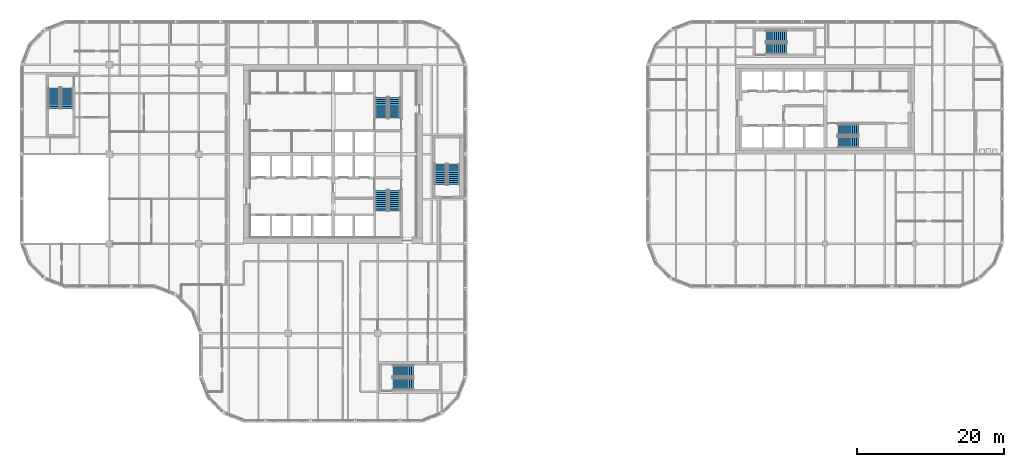
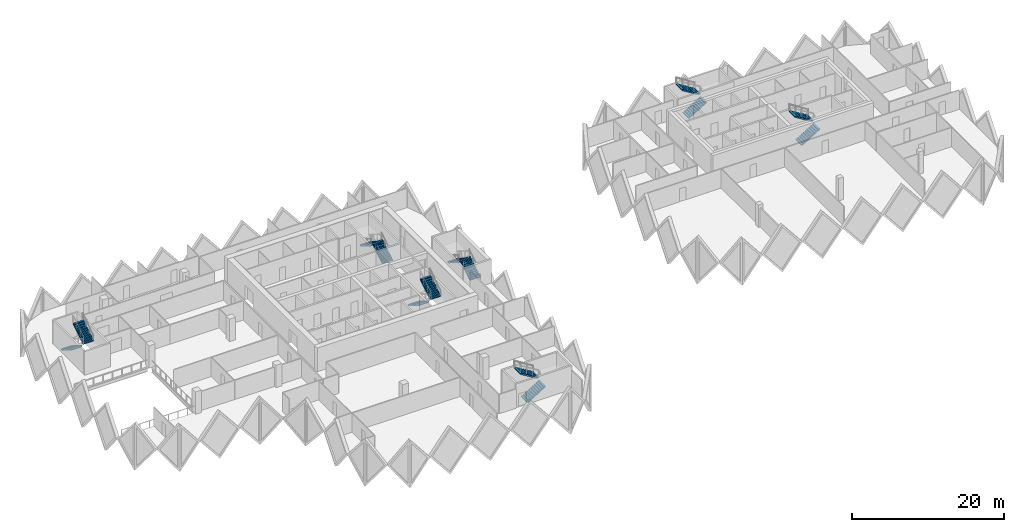
# One storey, part 16 of 19: 14 stair flights, 7 elements without a shape of their own.
"""IFC4 building model written with IfcOpenShell, lengths in metres."""

from ifc_helpers import new_model, si_unit, direction, frame, origin, place, context, subcontext, project, spatial, polyline, outline, extrude, material, type_object, element, aggregate, save


model = new_model("IFC4")

# Units and contexts
model_context = context("Model", 3, precision=1e-05, world=origin(), true_north=direction((0.0, 1.0)))
body_context = subcontext(model_context, "Body", "Model", "MODEL_VIEW")
ifc_project = project(units=[si_unit("LENGTHUNIT", "METRE"), si_unit("AREAUNIT", "SQUARE_METRE"), si_unit("VOLUMEUNIT", "CUBIC_METRE"), si_unit("PLANEANGLEUNIT", "RADIAN"), si_unit("MASSUNIT", "GRAM", prefix="KILO")], contexts=[model_context])

# Site, building, storey
site_placement = place(None, origin())
site = spatial("IfcSite", under=ifc_project, at=site_placement, CompositionType="ELEMENT")
building_placement = place(site_placement, origin())
building = spatial("IfcBuilding", under=site, at=building_placement, Name="Tessera Gate Towers", CompositionType="ELEMENT")
storey_placement = place(building_placement, frame((0.0, 0.0, 83.800048828125)))
storey = spatial("IfcBuildingStorey", under=building, at=storey_placement, Name="L20", CompositionType="ELEMENT", Elevation=83.800048828125)

# Stair, stair flights
ifc_material_1 = material(Name="Concrete C40/50", Category="concrete")
stair_type_1 = type_object("IfcStairType", Name="EXIT STAIR ST1 1600", PredefinedType="HALF_TURN_STAIR", material=ifc_material_1)
stair_1_placement = place(storey_placement, origin())
stair_1 = element("IfcStair", 1, at=stair_1_placement, inside=storey, type_object=stair_type_1, Name="L20 Protected Exit Stair ST1", PredefinedType="HALF_TURN_STAIR")
ifc_material_2 = material(Name="Concrete C40/50", Category="concrete")
stair_flight_type_1 = type_object("IfcStairFlightType", Name="EXIT STAIR FLIGHT ST1 1600", PredefinedType="STRAIGHT", material=ifc_material_2)
stair_flight_1_placement = place(storey_placement, frame((49.27490234375, 31.675048828125, 0.0), z_axis=(0.0, 0.0, 1.0), x_axis=(0.0, -1.0, 0.0)))
stair_flight_1 = element("IfcStairFlight", 2, at=stair_flight_1_placement, type_object=stair_flight_type_1, Name="ST1 flight 1", NumberOfRisers=11, NumberOfTreads=10, PredefinedType="STRAIGHT", RiserHeight=0.172727273, TreadLength=0.28, context=body_context, shape_type="SweptSolid", body=[
    extrude(outline(polyline([(0.0, 0.0), (0.0, 0.172607421875), (0.280029296875, 0.172607421875), (0.280029296875, 0.345458984375), (0.56005859375, 0.345458984375), (0.56005859375, 0.51806640625), (0.840087890625, 0.51806640625), (0.840087890625, 0.69091796875), (1.1201171875, 0.69091796875), (1.1201171875, 0.863525390625), (1.39990234375, 0.863525390625), (1.39990234375, 1.036376953125), (1.679931640625, 1.036376953125), (1.679931640625, 1.208984375), (1.9599609375, 1.208984375), (1.9599609375, 1.3818359375), (2.239990234375, 1.3818359375), (2.239990234375, 1.554443359375), (2.52001953125, 1.554443359375), (2.52001953125, 1.727294921875), (2.800048828125, 1.727294921875), (2.800048828125, 1.89990234375), (2.800048828125, 1.551025390625), (0.285400390625, 0.0), (0.0, 0.0)])), frame((0.0, 0.800048828125, 0.0), z_axis=(0.0, -1.0, 0.0), x_axis=(1.0, 0.0, 0.0)), (0.0, 0.0, 1.0), 1.60009765625),
])
stair_flight_2_placement = place(storey_placement, frame((51.074951171875, 28.875, 1.89990234375), z_axis=(0.0, 0.0, 1.0), x_axis=(0.0, 1.0, 0.0)))
stair_flight_2 = element("IfcStairFlight", 3, at=stair_flight_2_placement, type_object=stair_flight_type_1, Name="ST1 flight 2", NumberOfRisers=11, NumberOfTreads=10, PredefinedType="STRAIGHT", RiserHeight=0.172727273, TreadLength=0.28, context=body_context, shape_type="SweptSolid", body=[
    extrude(outline(polyline([(0.0, 0.0), (0.0, 0.172607421875), (0.280029296875, 0.172607421875), (0.280029296875, 0.345458984375), (0.56005859375, 0.345458984375), (0.56005859375, 0.51806640625), (0.840087890625, 0.51806640625), (0.840087890625, 0.69091796875), (1.1201171875, 0.69091796875), (1.1201171875, 0.863525390625), (1.39990234375, 0.863525390625), (1.39990234375, 1.036376953125), (1.679931640625, 1.036376953125), (1.679931640625, 1.208984375), (1.9599609375, 1.208984375), (1.9599609375, 1.3818359375), (2.239990234375, 1.3818359375), (2.239990234375, 1.554443359375), (2.52001953125, 1.554443359375), (2.52001953125, 1.727294921875), (2.800048828125, 1.727294921875), (2.800048828125, 1.89990234375), (2.800048828125, 1.551025390625), (0.285400390625, 0.0), (0.0, 0.0)])), frame((0.0, 0.800048828125, 0.0), z_axis=(0.0, -1.0, 0.0), x_axis=(1.0, 0.0, 0.0)), (0.0, 0.0, 1.0), 1.60009765625),
])
aggregate(stair_1, [stair_flight_1, stair_flight_2])

ifc_material_3 = material(Name="Concrete C40/50", Category="concrete")
stair_type_2 = type_object("IfcStairType", Name="EXIT STAIR ST2 1600", PredefinedType="HALF_TURN_STAIR", material=ifc_material_3)
stair_2_placement = place(storey_placement, origin())
stair_2 = element("IfcStair", 4, at=stair_2_placement, inside=storey, type_object=stair_type_2, Name="L20 Protected Exit Stair ST2", PredefinedType="HALF_TURN_STAIR")
ifc_material_4 = material(Name="Concrete C40/50", Category="concrete")
stair_flight_type_2 = type_object("IfcStairFlightType", Name="EXIT STAIR FLIGHT ST2 1600", PredefinedType="STRAIGHT", material=ifc_material_4)
stair_flight_3_placement = place(storey_placement, frame((51.074951171875, 41.52490234375, 0.0), z_axis=(0.0, 0.0, 1.0), x_axis=(0.0, 1.0, 0.0)))
stair_flight_3 = element("IfcStairFlight", 5, at=stair_flight_3_placement, type_object=stair_flight_type_2, Name="ST2 flight 1", NumberOfRisers=11, NumberOfTreads=10, PredefinedType="STRAIGHT", RiserHeight=0.172727273, TreadLength=0.28, context=body_context, shape_type="SweptSolid", body=[
    extrude(outline(polyline([(0.0, 0.0), (0.0, 0.172607421875), (0.280029296875, 0.172607421875), (0.280029296875, 0.345458984375), (0.56005859375, 0.345458984375), (0.56005859375, 0.51806640625), (0.840087890625, 0.51806640625), (0.840087890625, 0.69091796875), (1.1201171875, 0.69091796875), (1.1201171875, 0.863525390625), (1.39990234375, 0.863525390625), (1.39990234375, 1.036376953125), (1.679931640625, 1.036376953125), (1.679931640625, 1.208984375), (1.9599609375, 1.208984375), (1.9599609375, 1.3818359375), (2.239990234375, 1.3818359375), (2.239990234375, 1.554443359375), (2.52001953125, 1.554443359375), (2.52001953125, 1.727294921875), (2.800048828125, 1.727294921875), (2.800048828125, 1.89990234375), (2.800048828125, 1.551025390625), (0.285400390625, 0.0), (0.0, 0.0)])), frame((0.0, 0.800048828125, 0.0), z_axis=(0.0, -1.0, 0.0), x_axis=(1.0, 0.0, 0.0)), (0.0, 0.0, 1.0), 1.60009765625),
])
stair_flight_4_placement = place(storey_placement, frame((49.27490234375, 44.324951171875, 1.89990234375), z_axis=(0.0, 0.0, 1.0), x_axis=(0.0, -1.0, 0.0)))
stair_flight_4 = element("IfcStairFlight", 6, at=stair_flight_4_placement, type_object=stair_flight_type_2, Name="ST2 flight 2", NumberOfRisers=11, NumberOfTreads=10, PredefinedType="STRAIGHT", RiserHeight=0.172727273, TreadLength=0.28, context=body_context, shape_type="SweptSolid", body=[
    extrude(outline(polyline([(0.0, 0.0), (0.0, 0.172607421875), (0.280029296875, 0.172607421875), (0.280029296875, 0.345458984375), (0.56005859375, 0.345458984375), (0.56005859375, 0.51806640625), (0.840087890625, 0.51806640625), (0.840087890625, 0.69091796875), (1.1201171875, 0.69091796875), (1.1201171875, 0.863525390625), (1.39990234375, 0.863525390625), (1.39990234375, 1.036376953125), (1.679931640625, 1.036376953125), (1.679931640625, 1.208984375), (1.9599609375, 1.208984375), (1.9599609375, 1.3818359375), (2.239990234375, 1.3818359375), (2.239990234375, 1.554443359375), (2.52001953125, 1.554443359375), (2.52001953125, 1.727294921875), (2.800048828125, 1.727294921875), (2.800048828125, 1.89990234375), (2.800048828125, 1.551025390625), (0.285400390625, 0.0), (0.0, 0.0)])), frame((0.0, 0.800048828125, 0.0), z_axis=(0.0, -1.0, 0.0), x_axis=(1.0, 0.0, 0.0)), (0.0, 0.0, 1.0), 1.60009765625),
])
aggregate(stair_2, [stair_flight_3, stair_flight_4])

ifc_material_5 = material(Name="Concrete C40/50", Category="concrete")
stair_type_3 = type_object("IfcStairType", Name="EXIT STAIR ST3 1600", PredefinedType="HALF_TURN_STAIR", material=ifc_material_5)
stair_3_placement = place(storey_placement, origin())
stair_3 = element("IfcStair", 7, at=stair_3_placement, inside=storey, type_object=stair_type_3, Name="L20 West Exit Stair ST3", PredefinedType="HALF_TURN_STAIR")
ifc_material_6 = material(Name="Concrete C40/50", Category="concrete")
stair_flight_type_3 = type_object("IfcStairFlightType", Name="EXIT STAIR FLIGHT ST3 1600", PredefinedType="STRAIGHT", material=ifc_material_6)
stair_flight_5_placement = place(storey_placement, frame((4.64990234375, 45.64990234375, 0.0), z_axis=(0.0, 0.0, 1.0), x_axis=(0.0, -1.0, 0.0)))
stair_flight_5 = element("IfcStairFlight", 8, at=stair_flight_5_placement, type_object=stair_flight_type_3, Name="ST3 flight 1", NumberOfRisers=11, NumberOfTreads=10, PredefinedType="STRAIGHT", RiserHeight=0.172727273, TreadLength=0.28, context=body_context, shape_type="SweptSolid", body=[
    extrude(outline(polyline([(0.0, 0.0), (0.0, 0.172607421875), (0.280029296875, 0.172607421875), (0.280029296875, 0.345458984375), (0.56005859375, 0.345458984375), (0.56005859375, 0.51806640625), (0.840087890625, 0.51806640625), (0.840087890625, 0.69091796875), (1.1201171875, 0.69091796875), (1.1201171875, 0.863525390625), (1.39990234375, 0.863525390625), (1.39990234375, 1.036376953125), (1.679931640625, 1.036376953125), (1.679931640625, 1.208984375), (1.9599609375, 1.208984375), (1.9599609375, 1.3818359375), (2.239990234375, 1.3818359375), (2.239990234375, 1.554443359375), (2.52001953125, 1.554443359375), (2.52001953125, 1.727294921875), (2.800048828125, 1.727294921875), (2.800048828125, 1.89990234375), (2.800048828125, 1.551025390625), (0.285400390625, 0.0), (0.0, 0.0)])), frame((0.0, 0.800048828125, 0.0), z_axis=(0.0, -1.0, 0.0), x_axis=(1.0, 0.0, 0.0)), (0.0, 0.0, 1.0), 1.60009765625),
])
stair_flight_6_placement = place(storey_placement, frame((6.449951171875, 42.85009765625, 1.89990234375), z_axis=(0.0, 0.0, 1.0), x_axis=(0.0, 1.0, 0.0)))
stair_flight_6 = element("IfcStairFlight", 9, at=stair_flight_6_placement, type_object=stair_flight_type_3, Name="ST3 flight 2", NumberOfRisers=11, NumberOfTreads=10, PredefinedType="STRAIGHT", RiserHeight=0.172727273, TreadLength=0.28, context=body_context, shape_type="SweptSolid", body=[
    extrude(outline(polyline([(0.0, 0.0), (0.0, 0.172607421875), (0.280029296875, 0.172607421875), (0.280029296875, 0.345458984375), (0.56005859375, 0.345458984375), (0.56005859375, 0.51806640625), (0.840087890625, 0.51806640625), (0.840087890625, 0.69091796875), (1.1201171875, 0.69091796875), (1.1201171875, 0.863525390625), (1.39990234375, 0.863525390625), (1.39990234375, 1.036376953125), (1.679931640625, 1.036376953125), (1.679931640625, 1.208984375), (1.9599609375, 1.208984375), (1.9599609375, 1.3818359375), (2.239990234375, 1.3818359375), (2.239990234375, 1.554443359375), (2.52001953125, 1.554443359375), (2.52001953125, 1.727294921875), (2.800048828125, 1.727294921875), (2.800048828125, 1.89990234375), (2.800048828125, 1.551025390625), (0.285400390625, 0.0), (0.0, 0.0)])), frame((0.0, 0.800048828125, 0.0), z_axis=(0.0, -1.0, 0.0), x_axis=(1.0, 0.0, 0.0)), (0.0, 0.0, 1.0), 1.60009765625),
])
aggregate(stair_3, [stair_flight_5, stair_flight_6])

ifc_material_7 = material(Name="Concrete C40/50", Category="concrete")
stair_type_4 = type_object("IfcStairType", Name="EXIT STAIR ST4 1600", PredefinedType="HALF_TURN_STAIR", material=ifc_material_7)
stair_4_placement = place(storey_placement, origin())
stair_4 = element("IfcStair", 10, at=stair_4_placement, inside=storey, type_object=stair_type_4, Name="L20 South Exit Stair ST4", PredefinedType="HALF_TURN_STAIR")
ifc_material_8 = material(Name="Concrete C40/50", Category="concrete")
stair_flight_type_4 = type_object("IfcStairFlightType", Name="EXIT STAIR FLIGHT ST4 1600", PredefinedType="STRAIGHT", material=ifc_material_8)
stair_flight_7_placement = place(storey_placement, frame((50.85009765625, 5.25, 0.0), z_axis=(0.0, 0.0, 1.0), x_axis=(1.0, 0.0, 0.0)))
stair_flight_7 = element("IfcStairFlight", 11, at=stair_flight_7_placement, type_object=stair_flight_type_4, Name="ST4 flight 1", NumberOfRisers=11, NumberOfTreads=10, PredefinedType="STRAIGHT", RiserHeight=0.172727273, TreadLength=0.28, context=body_context, shape_type="SweptSolid", body=[
    extrude(outline(polyline([(0.0, 0.0), (0.0, 0.172607421875), (0.280029296875, 0.172607421875), (0.280029296875, 0.345458984375), (0.56005859375, 0.345458984375), (0.56005859375, 0.51806640625), (0.840087890625, 0.51806640625), (0.840087890625, 0.69091796875), (1.1201171875, 0.69091796875), (1.1201171875, 0.863525390625), (1.39990234375, 0.863525390625), (1.39990234375, 1.036376953125), (1.679931640625, 1.036376953125), (1.679931640625, 1.208984375), (1.9599609375, 1.208984375), (1.9599609375, 1.3818359375), (2.239990234375, 1.3818359375), (2.239990234375, 1.554443359375), (2.52001953125, 1.554443359375), (2.52001953125, 1.727294921875), (2.800048828125, 1.727294921875), (2.800048828125, 1.89990234375), (2.800048828125, 1.551025390625), (0.285400390625, 0.0), (0.0, 0.0)])), frame((0.0, 0.800048828125, 0.0), z_axis=(0.0, -1.0, 0.0), x_axis=(1.0, 0.0, 0.0)), (0.0, 0.0, 1.0), 1.60009765625),
])
stair_flight_8_placement = place(storey_placement, frame((53.64990234375, 7.050048828125, 1.89990234375), z_axis=(0.0, 0.0, 1.0), x_axis=(-1.0, 0.0, 0.0)))
stair_flight_8 = element("IfcStairFlight", 12, at=stair_flight_8_placement, type_object=stair_flight_type_4, Name="ST4 flight 2", NumberOfRisers=11, NumberOfTreads=10, PredefinedType="STRAIGHT", RiserHeight=0.172727273, TreadLength=0.28, context=body_context, shape_type="SweptSolid", body=[
    extrude(outline(polyline([(0.0, 0.0), (0.0, 0.172607421875), (0.280029296875, 0.172607421875), (0.280029296875, 0.345458984375), (0.56005859375, 0.345458984375), (0.56005859375, 0.51806640625), (0.840087890625, 0.51806640625), (0.840087890625, 0.69091796875), (1.1201171875, 0.69091796875), (1.1201171875, 0.863525390625), (1.39990234375, 0.863525390625), (1.39990234375, 1.036376953125), (1.679931640625, 1.036376953125), (1.679931640625, 1.208984375), (1.9599609375, 1.208984375), (1.9599609375, 1.3818359375), (2.239990234375, 1.3818359375), (2.239990234375, 1.554443359375), (2.52001953125, 1.554443359375), (2.52001953125, 1.727294921875), (2.800048828125, 1.727294921875), (2.800048828125, 1.89990234375), (2.800048828125, 1.551025390625), (0.285400390625, 0.0), (0.0, 0.0)])), frame((0.0, 0.800048828125, 0.0), z_axis=(0.0, -1.0, 0.0), x_axis=(1.0, 0.0, 0.0)), (0.0, 0.0, 1.0), 1.60009765625),
])
aggregate(stair_4, [stair_flight_7, stair_flight_8])

ifc_material_9 = material(Name="Concrete C40/50", Category="concrete")
stair_type_5 = type_object("IfcStairType", Name="EXIT STAIR ST5 1600", PredefinedType="HALF_TURN_STAIR", material=ifc_material_9)
stair_5_placement = place(storey_placement, origin())
stair_5 = element("IfcStair", 13, at=stair_5_placement, inside=storey, type_object=stair_type_5, Name="L20 East Exit Stair ST5", PredefinedType="HALF_TURN_STAIR")
ifc_material_10 = material(Name="Concrete C40/50", Category="concrete")
stair_flight_type_5 = type_object("IfcStairFlightType", Name="EXIT STAIR FLIGHT ST5 1600", PredefinedType="STRAIGHT", material=ifc_material_10)
stair_flight_9_placement = place(storey_placement, frame((59.14990234375, 32.449951171875, 0.0), z_axis=(0.0, 0.0, 1.0), x_axis=(0.0, 1.0, 0.0)))
stair_flight_9 = element("IfcStairFlight", 14, at=stair_flight_9_placement, type_object=stair_flight_type_5, Name="ST5 flight 1", NumberOfRisers=11, NumberOfTreads=10, PredefinedType="STRAIGHT", RiserHeight=0.172727273, TreadLength=0.28, context=body_context, shape_type="SweptSolid", body=[
    extrude(outline(polyline([(0.0, 0.0), (0.0, 0.172607421875), (0.280029296875, 0.172607421875), (0.280029296875, 0.345458984375), (0.56005859375, 0.345458984375), (0.56005859375, 0.51806640625), (0.840087890625, 0.51806640625), (0.840087890625, 0.69091796875), (1.1201171875, 0.69091796875), (1.1201171875, 0.863525390625), (1.39990234375, 0.863525390625), (1.39990234375, 1.036376953125), (1.679931640625, 1.036376953125), (1.679931640625, 1.208984375), (1.9599609375, 1.208984375), (1.9599609375, 1.3818359375), (2.239990234375, 1.3818359375), (2.239990234375, 1.554443359375), (2.52001953125, 1.554443359375), (2.52001953125, 1.727294921875), (2.800048828125, 1.727294921875), (2.800048828125, 1.89990234375), (2.800048828125, 1.551025390625), (0.285400390625, 0.0), (0.0, 0.0)])), frame((0.0, 0.800048828125, 0.0), z_axis=(0.0, -1.0, 0.0), x_axis=(1.0, 0.0, 0.0)), (0.0, 0.0, 1.0), 1.60009765625),
])
stair_flight_10_placement = place(storey_placement, frame((57.35009765625, 35.25, 1.89990234375), z_axis=(0.0, 0.0, 1.0), x_axis=(0.0, -1.0, 0.0)))
stair_flight_10 = element("IfcStairFlight", 15, at=stair_flight_10_placement, type_object=stair_flight_type_5, Name="ST5 flight 2", NumberOfRisers=11, NumberOfTreads=10, PredefinedType="STRAIGHT", RiserHeight=0.172727273, TreadLength=0.28, context=body_context, shape_type="SweptSolid", body=[
    extrude(outline(polyline([(0.0, 0.0), (0.0, 0.172607421875), (0.280029296875, 0.172607421875), (0.280029296875, 0.345458984375), (0.56005859375, 0.345458984375), (0.56005859375, 0.51806640625), (0.840087890625, 0.51806640625), (0.840087890625, 0.69091796875), (1.1201171875, 0.69091796875), (1.1201171875, 0.863525390625), (1.39990234375, 0.863525390625), (1.39990234375, 1.036376953125), (1.679931640625, 1.036376953125), (1.679931640625, 1.208984375), (1.9599609375, 1.208984375), (1.9599609375, 1.3818359375), (2.239990234375, 1.3818359375), (2.239990234375, 1.554443359375), (2.52001953125, 1.554443359375), (2.52001953125, 1.727294921875), (2.800048828125, 1.727294921875), (2.800048828125, 1.89990234375), (2.800048828125, 1.551025390625), (0.285400390625, 0.0), (0.0, 0.0)])), frame((0.0, 0.800048828125, 0.0), z_axis=(0.0, -1.0, 0.0), x_axis=(1.0, 0.0, 0.0)), (0.0, 0.0, 1.0), 1.60009765625),
])
aggregate(stair_5, [stair_flight_9, stair_flight_10])

ifc_material_11 = material(Name="Concrete C40/50", Category="concrete")
stair_type_6 = type_object("IfcStairType", Name="EXIT STAIR ST6 1500", PredefinedType="HALF_TURN_STAIR", material=ifc_material_11)
stair_6_placement = place(storey_placement, origin())
stair_6 = element("IfcStair", 16, at=stair_6_placement, inside=storey, type_object=stair_type_6, Name="L20 Protected Exit Stair ST6", PredefinedType="HALF_TURN_STAIR")
ifc_material_12 = material(Name="Concrete C40/50", Category="concrete")
stair_flight_type_6 = type_object("IfcStairFlightType", Name="EXIT STAIR FLIGHT ST6 1500", PredefinedType="STRAIGHT", material=ifc_material_12)
stair_flight_11_placement = place(storey_placement, frame((111.550048828125, 38.25, 0.0), z_axis=(0.0, 0.0, 1.0), x_axis=(1.0, 0.0, 0.0)))
stair_flight_11 = element("IfcStairFlight", 17, at=stair_flight_11_placement, type_object=stair_flight_type_6, Name="ST6 flight 1", NumberOfRisers=11, NumberOfTreads=10, PredefinedType="STRAIGHT", RiserHeight=0.172727273, TreadLength=0.28, context=body_context, shape_type="SweptSolid", body=[
    extrude(outline(polyline([(0.0, 0.0), (0.0, 0.172607421875), (0.280029296875, 0.172607421875), (0.280029296875, 0.345458984375), (0.56005859375, 0.345458984375), (0.56005859375, 0.51806640625), (0.840087890625, 0.51806640625), (0.840087890625, 0.69091796875), (1.1201171875, 0.69091796875), (1.1201171875, 0.863525390625), (1.39990234375, 0.863525390625), (1.39990234375, 1.036376953125), (1.679931640625, 1.036376953125), (1.679931640625, 1.208984375), (1.9599609375, 1.208984375), (1.9599609375, 1.3818359375), (2.239990234375, 1.3818359375), (2.239990234375, 1.554443359375), (2.52001953125, 1.554443359375), (2.52001953125, 1.727294921875), (2.800048828125, 1.727294921875), (2.800048828125, 1.89990234375), (2.800048828125, 1.551025390625), (0.285400390625, 0.0), (0.0, 0.0)])), frame((0.0, 0.75, 0.0), z_axis=(0.0, -1.0, 0.0), x_axis=(1.0, 0.0, 0.0)), (0.0, 0.0, 1.0), 1.5),
])
stair_flight_12_placement = place(storey_placement, frame((114.35009765625, 39.949951171875, 1.89990234375), z_axis=(0.0, 0.0, 1.0), x_axis=(-1.0, 0.0, 0.0)))
stair_flight_12 = element("IfcStairFlight", 18, at=stair_flight_12_placement, type_object=stair_flight_type_6, Name="ST6 flight 2", NumberOfRisers=11, NumberOfTreads=10, PredefinedType="STRAIGHT", RiserHeight=0.172727273, TreadLength=0.28, context=body_context, shape_type="SweptSolid", body=[
    extrude(outline(polyline([(0.0, 0.0), (0.0, 0.172607421875), (0.280029296875, 0.172607421875), (0.280029296875, 0.345458984375), (0.56005859375, 0.345458984375), (0.56005859375, 0.51806640625), (0.840087890625, 0.51806640625), (0.840087890625, 0.69091796875), (1.1201171875, 0.69091796875), (1.1201171875, 0.863525390625), (1.39990234375, 0.863525390625), (1.39990234375, 1.036376953125), (1.679931640625, 1.036376953125), (1.679931640625, 1.208984375), (1.9599609375, 1.208984375), (1.9599609375, 1.3818359375), (2.239990234375, 1.3818359375), (2.239990234375, 1.554443359375), (2.52001953125, 1.554443359375), (2.52001953125, 1.727294921875), (2.800048828125, 1.727294921875), (2.800048828125, 1.89990234375), (2.800048828125, 1.551025390625), (0.285400390625, 0.0), (0.0, 0.0)])), frame((0.0, 0.75, 0.0), z_axis=(0.0, -1.0, 0.0), x_axis=(1.0, 0.0, 0.0)), (0.0, 0.0, 1.0), 1.5),
])
aggregate(stair_6, [stair_flight_11, stair_flight_12])

ifc_material_13 = material(Name="Concrete C40/50", Category="concrete")
stair_type_7 = type_object("IfcStairType", Name="EXIT STAIR ST7 1500", PredefinedType="HALF_TURN_STAIR", material=ifc_material_13)
stair_7_placement = place(storey_placement, origin())
stair_7 = element("IfcStair", 19, at=stair_7_placement, inside=storey, type_object=stair_type_7, Name="L20 North Exit Stair ST7", PredefinedType="HALF_TURN_STAIR")
ifc_material_14 = material(Name="Concrete C40/50", Category="concrete")
stair_flight_type_7 = type_object("IfcStairFlightType", Name="EXIT STAIR FLIGHT ST7 1500", PredefinedType="STRAIGHT", material=ifc_material_14)
stair_flight_13_placement = place(storey_placement, frame((101.75, 51.0, 0.0), z_axis=(0.0, 0.0, 1.0), x_axis=(1.0, 0.0, 0.0)))
stair_flight_13 = element("IfcStairFlight", 20, at=stair_flight_13_placement, type_object=stair_flight_type_7, Name="ST7 flight 1", NumberOfRisers=11, NumberOfTreads=10, PredefinedType="STRAIGHT", RiserHeight=0.172727273, TreadLength=0.28, context=body_context, shape_type="SweptSolid", body=[
    extrude(outline(polyline([(0.0, 0.0), (0.0, 0.172607421875), (0.280029296875, 0.172607421875), (0.280029296875, 0.345458984375), (0.56005859375, 0.345458984375), (0.56005859375, 0.51806640625), (0.840087890625, 0.51806640625), (0.840087890625, 0.69091796875), (1.1201171875, 0.69091796875), (1.1201171875, 0.863525390625), (1.39990234375, 0.863525390625), (1.39990234375, 1.036376953125), (1.679931640625, 1.036376953125), (1.679931640625, 1.208984375), (1.9599609375, 1.208984375), (1.9599609375, 1.3818359375), (2.239990234375, 1.3818359375), (2.239990234375, 1.554443359375), (2.52001953125, 1.554443359375), (2.52001953125, 1.727294921875), (2.800048828125, 1.727294921875), (2.800048828125, 1.89990234375), (2.800048828125, 1.551025390625), (0.285400390625, 0.0), (0.0, 0.0)])), frame((0.0, 0.75, 0.0), z_axis=(0.0, -1.0, 0.0), x_axis=(1.0, 0.0, 0.0)), (0.0, 0.0, 1.0), 1.5),
])
stair_flight_14_placement = place(storey_placement, frame((104.550048828125, 52.699951171875, 1.89990234375), z_axis=(0.0, 0.0, 1.0), x_axis=(-1.0, 0.0, 0.0)))
stair_flight_14 = element("IfcStairFlight", 21, at=stair_flight_14_placement, type_object=stair_flight_type_7, Name="ST7 flight 2", NumberOfRisers=11, NumberOfTreads=10, PredefinedType="STRAIGHT", RiserHeight=0.172727273, TreadLength=0.28, context=body_context, shape_type="SweptSolid", body=[
    extrude(outline(polyline([(0.0, 0.0), (0.0, 0.172607421875), (0.280029296875, 0.172607421875), (0.280029296875, 0.345458984375), (0.56005859375, 0.345458984375), (0.56005859375, 0.51806640625), (0.840087890625, 0.51806640625), (0.840087890625, 0.69091796875), (1.1201171875, 0.69091796875), (1.1201171875, 0.863525390625), (1.39990234375, 0.863525390625), (1.39990234375, 1.036376953125), (1.679931640625, 1.036376953125), (1.679931640625, 1.208984375), (1.9599609375, 1.208984375), (1.9599609375, 1.3818359375), (2.239990234375, 1.3818359375), (2.239990234375, 1.554443359375), (2.52001953125, 1.554443359375), (2.52001953125, 1.727294921875), (2.800048828125, 1.727294921875), (2.800048828125, 1.89990234375), (2.800048828125, 1.551025390625), (0.285400390625, 0.0), (0.0, 0.0)])), frame((0.0, 0.75, 0.0), z_axis=(0.0, -1.0, 0.0), x_axis=(1.0, 0.0, 0.0)), (0.0, 0.0, 1.0), 1.5),
])
aggregate(stair_7, [stair_flight_13, stair_flight_14])

save(model, "model.ifc")
